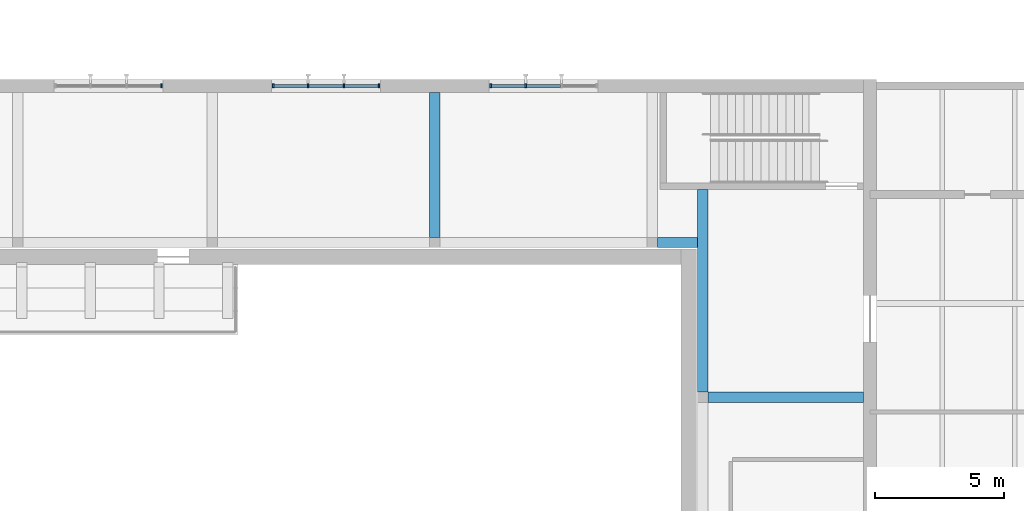
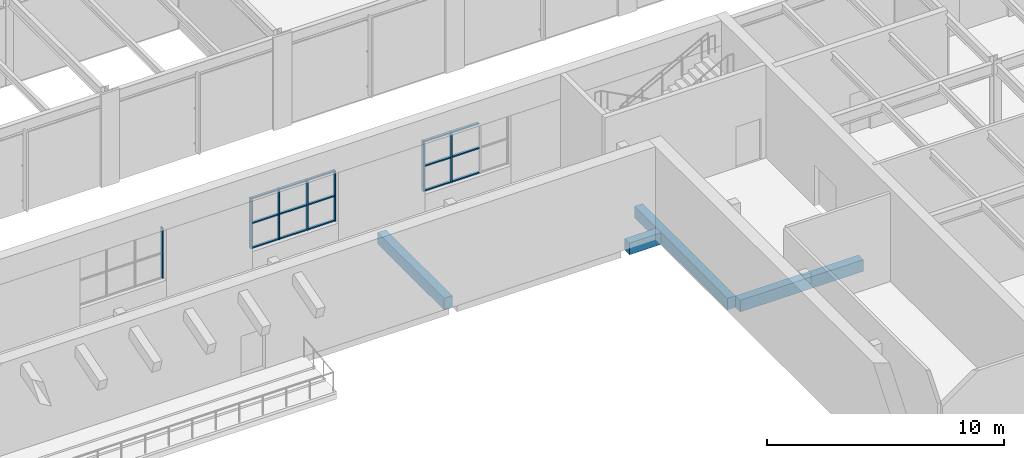
# One storey, part 46 of 127: 22 members, 4 beams, 3 elements without a shape of their own.
"""IFC4 building model written with IfcOpenShell, lengths in metres."""

from ifc_helpers import new_model, si_unit, direction, frame, origin, origin_2d, place, context, subcontext, project, spatial, rectangle, extrude, material, material_profile, profile_set, type_object, element, aggregate, save


model = new_model("IFC4")

# Units and contexts
model_context = context("Model", 3, precision=1e-05, world=origin(), true_north=direction((0.0, 1.0)))
body_context = subcontext(model_context, "Body", "Model", "MODEL_VIEW")
ifc_project = project(units=[si_unit("LENGTHUNIT", "METRE"), si_unit("AREAUNIT", "SQUARE_METRE"), si_unit("VOLUMEUNIT", "CUBIC_METRE"), si_unit("PLANEANGLEUNIT", "RADIAN"), si_unit("MASSUNIT", "GRAM", prefix="KILO")], contexts=[model_context])

# Site, building, storey
site_placement = place(None, origin())
site = spatial("IfcSite", under=ifc_project, at=site_placement, CompositionType="ELEMENT")
building_placement = place(site_placement, origin())
building = spatial("IfcBuilding", under=site, at=building_placement, Name="Ljudholm Concert House", CompositionType="ELEMENT")
storey_placement = place(building_placement, frame((0.0, 0.0, 5.39990234375)))
storey = spatial("IfcBuildingStorey", under=building, at=storey_placement, Name="L01", CompositionType="ELEMENT", Elevation=5.39990234375)

# Curtain wall, member
ifc_material_1 = material(Name="Aluminium curtain wall with impact-rated laminated glass", Category="aluminium")
curtain_wall_type = type_object("IfcCurtainWallType", Name="CURTAIN WALL 1400", PredefinedType="NOTDEFINED", material=ifc_material_1)
curtain_wall_1_placement = place(storey_placement, origin())
curtain_wall_1 = element("IfcCurtainWall", 1, at=curtain_wall_1_placement, inside=storey, type_object=curtain_wall_type, Name="Promenade curtain wall", PredefinedType="NOTDEFINED")
ifc_material_2 = material(Name="Aluminium extrusion", Category="aluminium")
ifc_material_profile_1 = material_profile(ifc_material_2, rectangle(XDim=0.159912109375, YDim=0.06005859375, at=origin_2d()), Name="MULLION 60x160")
ifc_profile_set_1 = profile_set([ifc_material_profile_1], Name="Aluminium extrusion")
member_type_1 = type_object("IfcMemberType", Name="MULLION 60x160", PredefinedType="MULLION", material=ifc_profile_set_1)
member_1_placement = place(storey_placement, frame((69.0400390625, 96.39990234375, 0.900146484375), z_axis=(0.0, 0.0, 1.0), x_axis=(0.0, 1.0, 0.0)))
member_1 = element("IfcMember", 2, at=member_1_placement, type_object=member_type_1, Name="Mullion", PredefinedType="MULLION", context=body_context, shape_type="SweptSolid", body=[
    extrude(rectangle(XDim=0.159912109375, YDim=0.06005859375, at=origin_2d()), origin(), (0.0, 0.0, 1.0), 2.599853515625),
])
aggregate(curtain_wall_1, [member_1])

# Curtain wall, members
curtain_wall_2_placement = place(storey_placement, origin())
curtain_wall_2 = element("IfcCurtainWall", 3, at=curtain_wall_2_placement, inside=storey, type_object=curtain_wall_type, Name="Promenade curtain wall", PredefinedType="NOTDEFINED")
member_2_placement = place(storey_placement, frame((73.360107421875, 96.39990234375, 0.900146484375), z_axis=(0.0, 0.0, 1.0), x_axis=(0.0, 1.0, 0.0)))
member_2 = element("IfcMember", 4, at=member_2_placement, type_object=member_type_1, Name="Mullion", PredefinedType="MULLION", context=body_context, shape_type="SweptSolid", body=[
    extrude(rectangle(XDim=0.159912109375, YDim=0.06005859375, at=origin_2d()), origin(), (0.0, 0.0, 1.0), 2.599853515625),
])
member_3_placement = place(storey_placement, frame((74.7099609375, 96.39990234375, 0.900146484375), z_axis=(0.0, 0.0, 1.0), x_axis=(0.0, 1.0, 0.0)))
member_3 = element("IfcMember", 5, at=member_3_placement, type_object=member_type_1, Name="Mullion", PredefinedType="MULLION", context=body_context, shape_type="SweptSolid", body=[
    extrude(rectangle(XDim=0.159912109375, YDim=0.06005859375, at=origin_2d()), origin(), (0.0, 0.0, 1.0), 2.599853515625),
])
member_4_placement = place(storey_placement, frame((76.090087890625, 96.39990234375, 0.900146484375), z_axis=(0.0, 0.0, 1.0), x_axis=(0.0, 1.0, 0.0)))
member_4 = element("IfcMember", 6, at=member_4_placement, type_object=member_type_1, Name="Mullion", PredefinedType="MULLION", context=body_context, shape_type="SweptSolid", body=[
    extrude(rectangle(XDim=0.159912109375, YDim=0.06005859375, at=origin_2d()), origin(), (0.0, 0.0, 1.0), 2.599853515625),
])
member_5_placement = place(storey_placement, frame((77.43994140625, 96.39990234375, 0.900146484375), z_axis=(0.0, 0.0, 1.0), x_axis=(0.0, 1.0, 0.0)))
member_5 = element("IfcMember", 7, at=member_5_placement, type_object=member_type_1, Name="Mullion", PredefinedType="MULLION", context=body_context, shape_type="SweptSolid", body=[
    extrude(rectangle(XDim=0.159912109375, YDim=0.06005859375, at=origin_2d()), origin(), (0.0, 0.0, 1.0), 2.599853515625),
])

curtain_wall_3_placement = place(storey_placement, origin())
curtain_wall_3 = element("IfcCurtainWall", 8, at=curtain_wall_3_placement, inside=storey, type_object=curtain_wall_type, Name="Promenade curtain wall", PredefinedType="NOTDEFINED")
member_6_placement = place(storey_placement, frame((81.760009765625, 96.39990234375, 0.900146484375), z_axis=(0.0, 0.0, 1.0), x_axis=(0.0, 1.0, 0.0)))
member_6 = element("IfcMember", 9, at=member_6_placement, type_object=member_type_1, Name="Mullion", PredefinedType="MULLION", context=body_context, shape_type="SweptSolid", body=[
    extrude(rectangle(XDim=0.159912109375, YDim=0.06005859375, at=origin_2d()), origin(), (0.0, 0.0, 1.0), 2.599853515625),
])
member_7_placement = place(storey_placement, frame((83.110107421875, 96.39990234375, 0.900146484375), z_axis=(0.0, 0.0, 1.0), x_axis=(0.0, 1.0, 0.0)))
member_7 = element("IfcMember", 10, at=member_7_placement, type_object=member_type_1, Name="Mullion", PredefinedType="MULLION", context=body_context, shape_type="SweptSolid", body=[
    extrude(rectangle(XDim=0.159912109375, YDim=0.06005859375, at=origin_2d()), origin(), (0.0, 0.0, 1.0), 2.599853515625),
])

# Beams
ifc_material_3 = material(Name="Concrete 6,500 psi", Category="concrete")
ifc_material_profile_2 = material_profile(ifc_material_3, rectangle(XDim=0.39990234375, YDim=0.60009765625, at=origin_2d()), Name="RC BEAM 400x600")
ifc_profile_set_2 = profile_set([ifc_material_profile_2], Name="Concrete 6,500 psi")
beam_type = type_object("IfcBeamType", Name="RC BEAM 400x600", PredefinedType="BEAM", material=ifc_profile_set_2)
beam_1_placement = place(storey_placement, frame((79.60009765625, 90.550048828125, -0.5498046875), z_axis=(0.0, 1.0, 0.0), x_axis=(-1.0, 0.0, 0.0)))
element("IfcBeam", 11, at=beam_1_placement, inside=storey, type_object=beam_type, Name="Ring cross beam", PredefinedType="BEAM", context=body_context, shape_type="SweptSolid", body=[
    extrude(rectangle(XDim=0.39990234375, YDim=0.60009765625, at=origin_2d()), origin(), (0.0, 0.0, 1.0), 5.599853515625),
])
beam_2_placement = place(storey_placement, frame((90.14990234375, 84.3701171875, -0.5498046875), z_axis=(1.0, 0.0, 0.0), x_axis=(0.0, 1.0, 0.0)))
element("IfcBeam", 12, at=beam_2_placement, inside=storey, type_object=beam_type, Name="Ring cross beam", PredefinedType="BEAM", context=body_context, shape_type="SweptSolid", body=[
    extrude(rectangle(XDim=0.39990234375, YDim=0.60009765625, at=origin_2d()), origin(), (0.0, 0.0, 1.0), 6.0),
])
beam_3_placement = place(storey_placement, frame((88.199951171875, 90.35009765625, -0.5498046875), z_axis=(1.0, 0.0, 0.0), x_axis=(0.0, 1.0, 0.0)))
element("IfcBeam", 13, at=beam_3_placement, inside=storey, type_object=beam_type, Name="Ring beam", PredefinedType="BEAM", context=body_context, shape_type="SweptSolid", body=[
    extrude(rectangle(XDim=0.39990234375, YDim=0.60009765625, at=origin_2d()), origin(), (0.0, 0.0, 1.0), 1.550048828125),
])
beam_4_placement = place(storey_placement, frame((89.949951171875, 84.570068359375, -0.5498046875), z_axis=(0.0, 1.0, 0.0), x_axis=(-1.0, 0.0, 0.0)))
element("IfcBeam", 14, at=beam_4_placement, inside=storey, type_object=beam_type, Name="Ring beam", PredefinedType="BEAM", context=body_context, shape_type="SweptSolid", body=[
    extrude(rectangle(XDim=0.39990234375, YDim=0.60009765625, at=origin_2d()), origin(), (0.0, 0.0, 1.0), 7.829833984375),
])

# Member
ifc_material_4 = material(Name="Aluminium extrusion", Category="aluminium")
ifc_material_profile_3 = material_profile(ifc_material_4, rectangle(XDim=0.1201171875, YDim=0.06005859375, at=origin_2d()), Name="TRANSOM 60x120")
ifc_profile_set_3 = profile_set([ifc_material_profile_3], Name="Aluminium extrusion")
member_type_2 = type_object("IfcMemberType", Name="TRANSOM 60x120", PredefinedType="USERDEFINED", material=ifc_profile_set_3)
member_8_placement = place(storey_placement, frame((73.389892578125, 96.39990234375, 0.93017578125), z_axis=(1.0, 0.0, 0.0), x_axis=(0.0, 1.0, 0.0)))
member_8 = element("IfcMember", 15, at=member_8_placement, type_object=member_type_2, Name="Transom", ObjectType="TRANSOM", PredefinedType="USERDEFINED", context=body_context, shape_type="SweptSolid", body=[
    extrude(rectangle(XDim=0.1201171875, YDim=0.06005859375, at=origin_2d()), origin(), (0.0, 0.0, 1.0), 1.2900390625),
])

member_9_placement = place(storey_placement, frame((73.389892578125, 96.39990234375, 2.2001953125), z_axis=(1.0, 0.0, 0.0), x_axis=(0.0, 1.0, 0.0)))
member_9 = element("IfcMember", 16, at=member_9_placement, type_object=member_type_2, Name="Transom", ObjectType="TRANSOM", PredefinedType="USERDEFINED", context=body_context, shape_type="SweptSolid", body=[
    extrude(rectangle(XDim=0.1201171875, YDim=0.06005859375, at=origin_2d()), origin(), (0.0, 0.0, 1.0), 1.2900390625),
])

member_10_placement = place(storey_placement, frame((73.389892578125, 96.39990234375, 3.47021484375), z_axis=(1.0, 0.0, 0.0), x_axis=(0.0, 1.0, 0.0)))
member_10 = element("IfcMember", 17, at=member_10_placement, type_object=member_type_2, Name="Transom", ObjectType="TRANSOM", PredefinedType="USERDEFINED", context=body_context, shape_type="SweptSolid", body=[
    extrude(rectangle(XDim=0.1201171875, YDim=0.06005859375, at=origin_2d()), origin(), (0.0, 0.0, 1.0), 1.2900390625),
])

member_11_placement = place(storey_placement, frame((74.739990234375, 96.39990234375, 0.93017578125), z_axis=(1.0, 0.0, 0.0), x_axis=(0.0, 1.0, 0.0)))
member_11 = element("IfcMember", 18, at=member_11_placement, type_object=member_type_2, Name="Transom", ObjectType="TRANSOM", PredefinedType="USERDEFINED", context=body_context, shape_type="SweptSolid", body=[
    extrude(rectangle(XDim=0.1201171875, YDim=0.06005859375, at=origin_2d()), origin(), (0.0, 0.0, 1.0), 1.320068359375),
])

member_12_placement = place(storey_placement, frame((74.739990234375, 96.39990234375, 2.2001953125), z_axis=(1.0, 0.0, 0.0), x_axis=(0.0, 1.0, 0.0)))
member_12 = element("IfcMember", 19, at=member_12_placement, type_object=member_type_2, Name="Transom", ObjectType="TRANSOM", PredefinedType="USERDEFINED", context=body_context, shape_type="SweptSolid", body=[
    extrude(rectangle(XDim=0.1201171875, YDim=0.06005859375, at=origin_2d()), origin(), (0.0, 0.0, 1.0), 1.320068359375),
])

member_13_placement = place(storey_placement, frame((74.739990234375, 96.39990234375, 3.47021484375), z_axis=(1.0, 0.0, 0.0), x_axis=(0.0, 1.0, 0.0)))
member_13 = element("IfcMember", 20, at=member_13_placement, type_object=member_type_2, Name="Transom", ObjectType="TRANSOM", PredefinedType="USERDEFINED", context=body_context, shape_type="SweptSolid", body=[
    extrude(rectangle(XDim=0.1201171875, YDim=0.06005859375, at=origin_2d()), origin(), (0.0, 0.0, 1.0), 1.320068359375),
])

member_14_placement = place(storey_placement, frame((76.1201171875, 96.39990234375, 0.93017578125), z_axis=(1.0, 0.0, 0.0), x_axis=(0.0, 1.0, 0.0)))
member_14 = element("IfcMember", 21, at=member_14_placement, type_object=member_type_2, Name="Transom", ObjectType="TRANSOM", PredefinedType="USERDEFINED", context=body_context, shape_type="SweptSolid", body=[
    extrude(rectangle(XDim=0.1201171875, YDim=0.06005859375, at=origin_2d()), origin(), (0.0, 0.0, 1.0), 1.289794921875),
])

member_15_placement = place(storey_placement, frame((76.1201171875, 96.39990234375, 2.2001953125), z_axis=(1.0, 0.0, 0.0), x_axis=(0.0, 1.0, 0.0)))
member_15 = element("IfcMember", 22, at=member_15_placement, type_object=member_type_2, Name="Transom", ObjectType="TRANSOM", PredefinedType="USERDEFINED", context=body_context, shape_type="SweptSolid", body=[
    extrude(rectangle(XDim=0.1201171875, YDim=0.06005859375, at=origin_2d()), origin(), (0.0, 0.0, 1.0), 1.289794921875),
])

member_16_placement = place(storey_placement, frame((76.1201171875, 96.39990234375, 3.47021484375), z_axis=(1.0, 0.0, 0.0), x_axis=(0.0, 1.0, 0.0)))
member_16 = element("IfcMember", 23, at=member_16_placement, type_object=member_type_2, Name="Transom", ObjectType="TRANSOM", PredefinedType="USERDEFINED", context=body_context, shape_type="SweptSolid", body=[
    extrude(rectangle(XDim=0.1201171875, YDim=0.06005859375, at=origin_2d()), origin(), (0.0, 0.0, 1.0), 1.289794921875),
])

aggregate(curtain_wall_2, [member_2, member_3, member_4, member_5, member_8, member_9, member_10, member_11, member_12, member_13, member_14, member_15, member_16])

member_17_placement = place(storey_placement, frame((81.7900390625, 96.39990234375, 0.93017578125), z_axis=(1.0, 0.0, 0.0), x_axis=(0.0, 1.0, 0.0)))
member_17 = element("IfcMember", 24, at=member_17_placement, type_object=member_type_2, Name="Transom", ObjectType="TRANSOM", PredefinedType="USERDEFINED", context=body_context, shape_type="SweptSolid", body=[
    extrude(rectangle(XDim=0.1201171875, YDim=0.06005859375, at=origin_2d()), origin(), (0.0, 0.0, 1.0), 1.2900390625),
])

member_18_placement = place(storey_placement, frame((81.7900390625, 96.39990234375, 2.2001953125), z_axis=(1.0, 0.0, 0.0), x_axis=(0.0, 1.0, 0.0)))
member_18 = element("IfcMember", 25, at=member_18_placement, type_object=member_type_2, Name="Transom", ObjectType="TRANSOM", PredefinedType="USERDEFINED", context=body_context, shape_type="SweptSolid", body=[
    extrude(rectangle(XDim=0.1201171875, YDim=0.06005859375, at=origin_2d()), origin(), (0.0, 0.0, 1.0), 1.2900390625),
])

member_19_placement = place(storey_placement, frame((81.7900390625, 96.39990234375, 3.47021484375), z_axis=(1.0, 0.0, 0.0), x_axis=(0.0, 1.0, 0.0)))
member_19 = element("IfcMember", 26, at=member_19_placement, type_object=member_type_2, Name="Transom", ObjectType="TRANSOM", PredefinedType="USERDEFINED", context=body_context, shape_type="SweptSolid", body=[
    extrude(rectangle(XDim=0.1201171875, YDim=0.06005859375, at=origin_2d()), origin(), (0.0, 0.0, 1.0), 1.2900390625),
])

member_20_placement = place(storey_placement, frame((83.139892578125, 96.39990234375, 0.93017578125), z_axis=(1.0, 0.0, 0.0), x_axis=(0.0, 1.0, 0.0)))
member_20 = element("IfcMember", 27, at=member_20_placement, type_object=member_type_2, Name="Transom", ObjectType="TRANSOM", PredefinedType="USERDEFINED", context=body_context, shape_type="SweptSolid", body=[
    extrude(rectangle(XDim=0.1201171875, YDim=0.06005859375, at=origin_2d()), origin(), (0.0, 0.0, 1.0), 1.320068359375),
])

member_21_placement = place(storey_placement, frame((83.139892578125, 96.39990234375, 2.2001953125), z_axis=(1.0, 0.0, 0.0), x_axis=(0.0, 1.0, 0.0)))
member_21 = element("IfcMember", 28, at=member_21_placement, type_object=member_type_2, Name="Transom", ObjectType="TRANSOM", PredefinedType="USERDEFINED", context=body_context, shape_type="SweptSolid", body=[
    extrude(rectangle(XDim=0.1201171875, YDim=0.06005859375, at=origin_2d()), origin(), (0.0, 0.0, 1.0), 1.320068359375),
])

member_22_placement = place(storey_placement, frame((83.139892578125, 96.39990234375, 3.47021484375), z_axis=(1.0, 0.0, 0.0), x_axis=(0.0, 1.0, 0.0)))
member_22 = element("IfcMember", 29, at=member_22_placement, type_object=member_type_2, Name="Transom", ObjectType="TRANSOM", PredefinedType="USERDEFINED", context=body_context, shape_type="SweptSolid", body=[
    extrude(rectangle(XDim=0.1201171875, YDim=0.06005859375, at=origin_2d()), origin(), (0.0, 0.0, 1.0), 1.320068359375),
])

aggregate(curtain_wall_3, [member_6, member_7, member_17, member_18, member_19, member_20, member_21, member_22])

save(model, "model.ifc")
